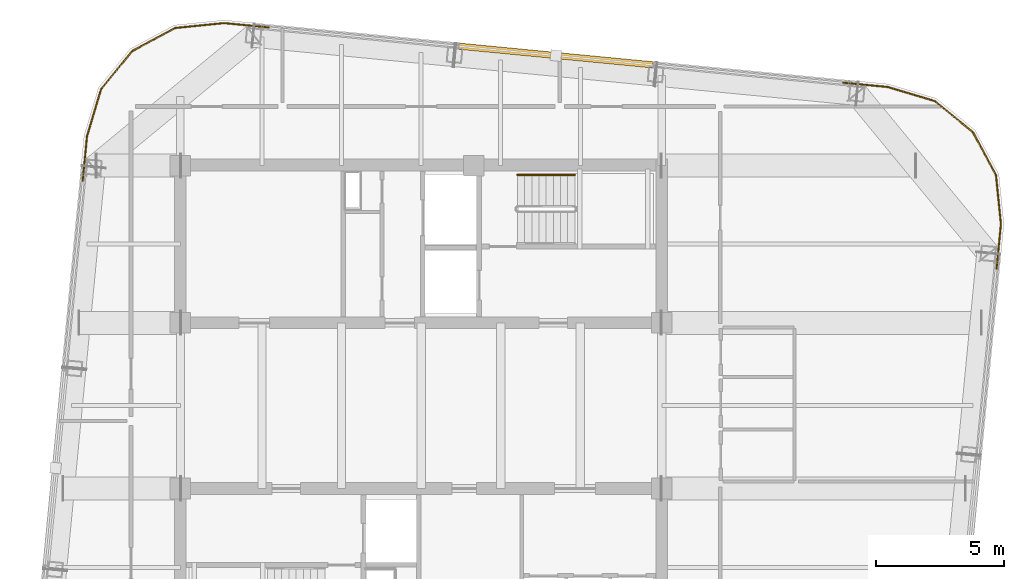
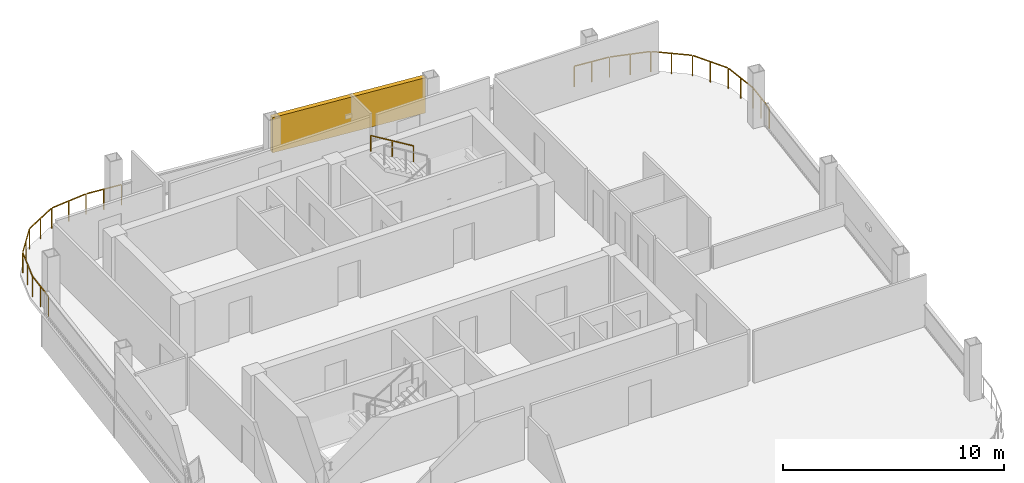
# One storey, part 21 of 21: 3 railings, 1 shading device.
"""IFC4 building model written with IfcOpenShell, lengths in metres."""

from ifc_helpers import new_model, si_unit, direction, frame, origin, origin_2d, place, context, subcontext, project, spatial, rectangle, extrude, material, type_object, element, save


model = new_model("IFC4")

# Units and contexts
model_context = context("Model", 3, precision=1e-05, world=origin(), true_north=direction((0.0, 1.0)))
body_context = subcontext(model_context, "Body", "Model", "MODEL_VIEW")
ifc_project = project(units=[si_unit("LENGTHUNIT", "METRE"), si_unit("AREAUNIT", "SQUARE_METRE"), si_unit("VOLUMEUNIT", "CUBIC_METRE"), si_unit("PLANEANGLEUNIT", "RADIAN"), si_unit("MASSUNIT", "GRAM", prefix="KILO")], contexts=[model_context])

# Site, building, storey
site_placement = place(None, origin())
site = spatial("IfcSite", under=ifc_project, at=site_placement, CompositionType="ELEMENT")
building_placement = place(site_placement, origin())
building = spatial("IfcBuilding", under=site, at=building_placement, Name="Qhalaya Broadcast Tower", CompositionType="ELEMENT")
storey_placement = place(building_placement, frame((0.0, 0.0, 270.300048828125)))
storey = spatial("IfcBuildingStorey", under=building, at=storey_placement, Name="L80", CompositionType="ELEMENT", Elevation=270.300048828125)

# Railings
ifc_material_1 = material(Name="Powder-Coated Galvanised Steel", Category="steel")
railing_type_1 = type_object("IfcRailingType", Name="Stair Wall Handrail 900", PredefinedType="HANDRAIL", material=ifc_material_1)
railing_1_placement = place(storey_placement, frame((5.989990234375, 9.590087890625, 1.6943359375)))
element("IfcRailing", 1, at=railing_1_placement, inside=storey, type_object=railing_type_1, Name="L80 ST-1 Stair Handrail 2", PredefinedType="HANDRAIL", context=body_context, shape_type="SweptSolid", body=[
    extrude(rectangle(XDim=0.048095703125, YDim=0.048095703125, at=origin_2d()), frame((0.0, 0.0, 0.8759765625), z_axis=(-0.855512035549, 0.0, 0.517782924622), x_axis=(0.0, -1.0, 0.0)), (0.0, 0.0, 1.0), 2.618408203125),
    extrude(rectangle(XDim=0.0419921875, YDim=0.0419921875, at=origin_2d()), origin(), (0.0, 0.0, 1.0), 0.849853515625),
    extrude(rectangle(XDim=0.0419921875, YDim=0.0419921875, at=origin_2d()), frame((-1.1201171875, 0.0, 0.677734375)), (0.0, 0.0, 1.0), 0.849853515625),
    extrude(rectangle(XDim=0.0419921875, YDim=0.0419921875, at=origin_2d()), frame((-2.239990234375, 0.0, 1.355712890625)), (0.0, 0.0, 1.0), 0.849853515625),
])
railing_type_2 = type_object("IfcRailingType", Name="Terrace, Sky-Pool & Lookout Glass Balustrade 1150", PredefinedType="BALUSTRADE", material=ifc_material_1)
railing_2_placement = place(storey_placement, frame((-13.18115234375, 9.35400390625, 0.0)))
element("IfcRailing", 2, at=railing_2_placement, inside=storey, type_object=railing_type_2, Name="L80 Rounded Corner Perimeter Guard 03", PredefinedType="BALUSTRADE", context=body_context, shape_type="SweptSolid", body=[
    extrude(rectangle(XDim=0.048095703125, YDim=0.048095703125, at=origin_2d()), frame((0.0, 0.0, 1.1259765625), z_axis=(0.095924323257, 0.995388629736, 0.0), x_axis=(-0.995388629736, 0.095924323257, 0.0)), (0.0, 0.0, 1.0), 1.727294921875),
    extrude(rectangle(XDim=0.048095703125, YDim=0.048095703125, at=origin_2d()), frame((0.1767578125, 1.775634765625, 1.1259765625), z_axis=(0.288096282124, 0.957601447485, 0.0), x_axis=(-0.957601447485, 0.288096282124, 0.0)), (0.0, 0.0, 1.0), 1.857421875),
    extrude(rectangle(XDim=0.048095703125, YDim=0.048095703125, at=origin_2d()), frame((0.738525390625, 3.6044921875, 1.1259765625), z_axis=(0.63274871945, 0.774357190213, 0.0), x_axis=(-0.774357190213, 0.63274871945, 0.0)), (0.0, 0.0, 1.0), 1.845703125),
    extrude(rectangle(XDim=0.048095703125, YDim=0.048095703125, at=origin_2d()), frame((1.949951171875, 5.069580078125, 1.1259765625), z_axis=(0.880878554058, 0.473342342286, 0.0), x_axis=(-0.473342342286, 0.880878554058, 0.0)), (0.0, 0.0, 1.0), 1.845458984375),
    extrude(rectangle(XDim=0.048095703125, YDim=0.048095703125, at=origin_2d()), frame((3.6298828125, 5.959716796875, 1.1259765625), z_axis=(0.994980230152, 0.100071682341, 0.0), x_axis=(-0.100071682341, 0.994980230152, 0.0)), (0.0, 0.0, 1.0), 1.857421875),
    extrude(rectangle(XDim=0.048095703125, YDim=0.048095703125, at=origin_2d()), frame((5.535400390625, 6.145751953125, 1.1259765625), z_axis=(0.99540189436, -0.09578657894, 0.0), x_axis=(0.09578657894, 0.99540189436, 0.0)), (0.0, 0.0, 1.0), 1.727294921875),
    extrude(rectangle(XDim=0.0419921875, YDim=0.0419921875, at=origin_2d()), origin(), (0.0, 0.0, 1.0), 1.099853515625),
    extrude(rectangle(XDim=0.0419921875, YDim=0.0419921875, at=origin_2d()), frame((0.084228515625, 0.8740234375, 0.0)), (0.0, 0.0, 1.0), 1.099853515625),
    extrude(rectangle(XDim=0.0419921875, YDim=0.0419921875, at=origin_2d()), frame((0.16845703125, 1.748046875, 0.0)), (0.0, 0.0, 1.0), 1.099853515625),
    extrude(rectangle(XDim=0.0419921875, YDim=0.0419921875, at=origin_2d()), frame((0.4443359375, 2.6650390625, 0.0)), (0.0, 0.0, 1.0), 1.099853515625),
    extrude(rectangle(XDim=0.0419921875, YDim=0.0419921875, at=origin_2d()), frame((0.72021484375, 3.58203125, 0.0)), (0.0, 0.0, 1.0), 1.099853515625),
    extrude(rectangle(XDim=0.0419921875, YDim=0.0419921875, at=origin_2d()), frame((1.322265625, 4.31884765625, 0.0)), (0.0, 0.0, 1.0), 1.099853515625),
    extrude(rectangle(XDim=0.0419921875, YDim=0.0419921875, at=origin_2d()), frame((1.924560546875, 5.055908203125, 0.0)), (0.0, 0.0, 1.0), 1.099853515625),
    extrude(rectangle(XDim=0.0419921875, YDim=0.0419921875, at=origin_2d()), frame((2.7626953125, 5.50634765625, 0.0)), (0.0, 0.0, 1.0), 1.099853515625),
    extrude(rectangle(XDim=0.0419921875, YDim=0.0419921875, at=origin_2d()), frame((3.60107421875, 5.956787109375, 0.0)), (0.0, 0.0, 1.0), 1.099853515625),
    extrude(rectangle(XDim=0.0419921875, YDim=0.0419921875, at=origin_2d()), frame((4.5537109375, 6.052734375, 0.0)), (0.0, 0.0, 1.0), 1.099853515625),
    extrude(rectangle(XDim=0.0419921875, YDim=0.0419921875, at=origin_2d()), frame((5.506591796875, 6.1484375, 0.0)), (0.0, 0.0, 1.0), 1.099853515625),
    extrude(rectangle(XDim=0.0419921875, YDim=0.0419921875, at=origin_2d()), frame((6.380615234375, 6.064453125, 0.0)), (0.0, 0.0, 1.0), 1.099853515625),
    extrude(rectangle(XDim=0.0419921875, YDim=0.0419921875, at=origin_2d()), frame((7.254638671875, 5.980224609375, 0.0)), (0.0, 0.0, 1.0), 1.099853515625),
])
railing_3_placement = place(storey_placement, frame((16.43408203125, 13.18115234375, 0.0)))
element("IfcRailing", 3, at=railing_3_placement, inside=storey, type_object=railing_type_2, Name="L80 Rounded Corner Perimeter Guard 04", PredefinedType="BALUSTRADE", context=body_context, shape_type="SweptSolid", body=[
    extrude(rectangle(XDim=0.048095703125, YDim=0.048095703125, at=origin_2d()), frame((0.0, 0.0, 1.1259765625), z_axis=(0.995388629736, -0.095924323257, 0.0), x_axis=(0.095924323257, 0.995388629736, 0.0)), (0.0, 0.0, 1.0), 1.727294921875),
    extrude(rectangle(XDim=0.048095703125, YDim=0.048095703125, at=origin_2d()), frame((1.775634765625, -0.1767578125, 1.1259765625), z_axis=(0.957601447485, -0.288096282124, 0.0), x_axis=(0.288096282124, 0.957601447485, 0.0)), (0.0, 0.0, 1.0), 1.857421875),
    extrude(rectangle(XDim=0.048095703125, YDim=0.048095703125, at=origin_2d()), frame((3.6044921875, -0.738525390625, 1.1259765625), z_axis=(0.774357190213, -0.63274871945, 0.0), x_axis=(0.63274871945, 0.774357190213, 0.0)), (0.0, 0.0, 1.0), 1.845703125),
    extrude(rectangle(XDim=0.048095703125, YDim=0.048095703125, at=origin_2d()), frame((5.069580078125, -1.949951171875, 1.1259765625), z_axis=(0.473242797018, -0.880932037714, 0.0), x_axis=(0.880932037714, 0.473242797018, 0.0)), (0.0, 0.0, 1.0), 1.845458984375),
    extrude(rectangle(XDim=0.048095703125, YDim=0.048095703125, at=origin_2d()), frame((5.95947265625, -3.6298828125, 1.1259765625), z_axis=(0.100197883148, -0.994967529225, 0.0), x_axis=(0.994967529225, 0.100197883148, 0.0)), (0.0, 0.0, 1.0), 1.857421875),
    extrude(rectangle(XDim=0.048095703125, YDim=0.048095703125, at=origin_2d()), frame((6.145751953125, -5.535400390625, 1.1259765625), z_axis=(-0.09578657894, -0.99540189436, 0.0), x_axis=(0.99540189436, -0.09578657894, 0.0)), (0.0, 0.0, 1.0), 1.727294921875),
    extrude(rectangle(XDim=0.0419921875, YDim=0.0419921875, at=origin_2d()), origin(), (0.0, 0.0, 1.0), 1.099853515625),
    extrude(rectangle(XDim=0.0419921875, YDim=0.0419921875, at=origin_2d()), frame((0.8740234375, -0.084228515625, 0.0)), (0.0, 0.0, 1.0), 1.099853515625),
    extrude(rectangle(XDim=0.0419921875, YDim=0.0419921875, at=origin_2d()), frame((1.748046875, -0.16845703125, 0.0)), (0.0, 0.0, 1.0), 1.099853515625),
    extrude(rectangle(XDim=0.0419921875, YDim=0.0419921875, at=origin_2d()), frame((2.6650390625, -0.4443359375, 0.0)), (0.0, 0.0, 1.0), 1.099853515625),
    extrude(rectangle(XDim=0.0419921875, YDim=0.0419921875, at=origin_2d()), frame((3.58203125, -0.72021484375, 0.0)), (0.0, 0.0, 1.0), 1.099853515625),
    extrude(rectangle(XDim=0.0419921875, YDim=0.0419921875, at=origin_2d()), frame((4.31884765625, -1.322265625, 0.0)), (0.0, 0.0, 1.0), 1.099853515625),
    extrude(rectangle(XDim=0.0419921875, YDim=0.0419921875, at=origin_2d()), frame((5.055908203125, -1.924560546875, 0.0)), (0.0, 0.0, 1.0), 1.099853515625),
    extrude(rectangle(XDim=0.0419921875, YDim=0.0419921875, at=origin_2d()), frame((5.50634765625, -2.7626953125, 0.0)), (0.0, 0.0, 1.0), 1.099853515625),
    extrude(rectangle(XDim=0.0419921875, YDim=0.0419921875, at=origin_2d()), frame((5.95654296875, -3.60107421875, 0.0)), (0.0, 0.0, 1.0), 1.099853515625),
    extrude(rectangle(XDim=0.0419921875, YDim=0.0419921875, at=origin_2d()), frame((6.052490234375, -4.5537109375, 0.0)), (0.0, 0.0, 1.0), 1.099853515625),
    extrude(rectangle(XDim=0.0419921875, YDim=0.0419921875, at=origin_2d()), frame((6.1484375, -5.506591796875, 0.0)), (0.0, 0.0, 1.0), 1.099853515625),
    extrude(rectangle(XDim=0.0419921875, YDim=0.0419921875, at=origin_2d()), frame((6.064453125, -6.380615234375, 0.0)), (0.0, 0.0, 1.0), 1.099853515625),
    extrude(rectangle(XDim=0.0419921875, YDim=0.0419921875, at=origin_2d()), frame((5.980224609375, -7.254638671875, 0.0)), (0.0, 0.0, 1.0), 1.099853515625),
])

# Shading device
ifc_material_2 = material(Name="Fired Architectural Terracotta", Category="masonry")
shading_device_type = type_object("IfcShadingDeviceType", Name="Terracotta Baguette Solar Screen Assembly TBS-01", PredefinedType="USERDEFINED", material=ifc_material_2)
shading_device_placement = place(storey_placement, frame((5.251708984375, 14.23779296875, 0.80078125), z_axis=(0.0, 0.0, 1.0), x_axis=(-0.995396198367, 0.09584575252, 0.0)))
element("IfcShadingDevice", 4, at=shading_device_placement, inside=storey, type_object=shading_device_type, Name="L80 Fired Terracotta Baguette Screen N", ObjectType="BAGUETTE", PredefinedType="USERDEFINED", context=body_context, shape_type="SweptSolid", body=[
    extrude(rectangle(XDim=7.60009765625, YDim=0.239990234375, at=origin_2d()), origin(), (0.0, 0.0, 1.0), 1.945068359375),
])

save(model, "model.ifc")
